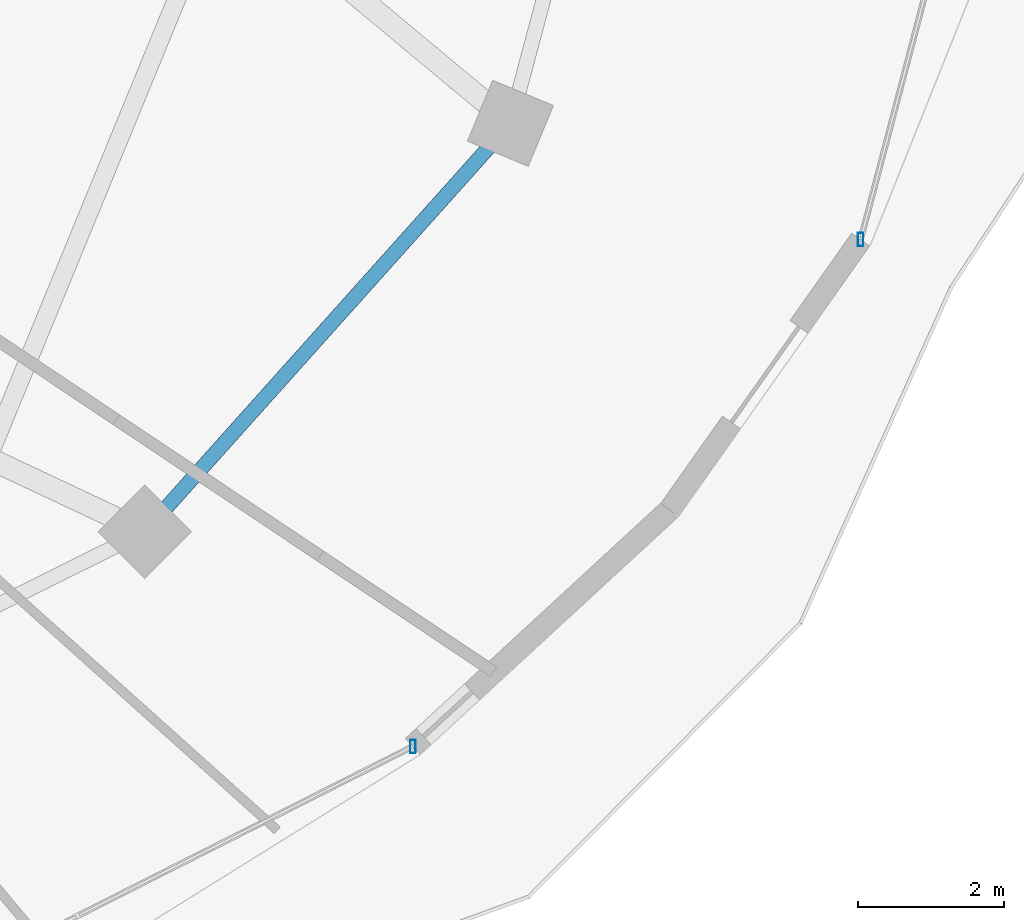
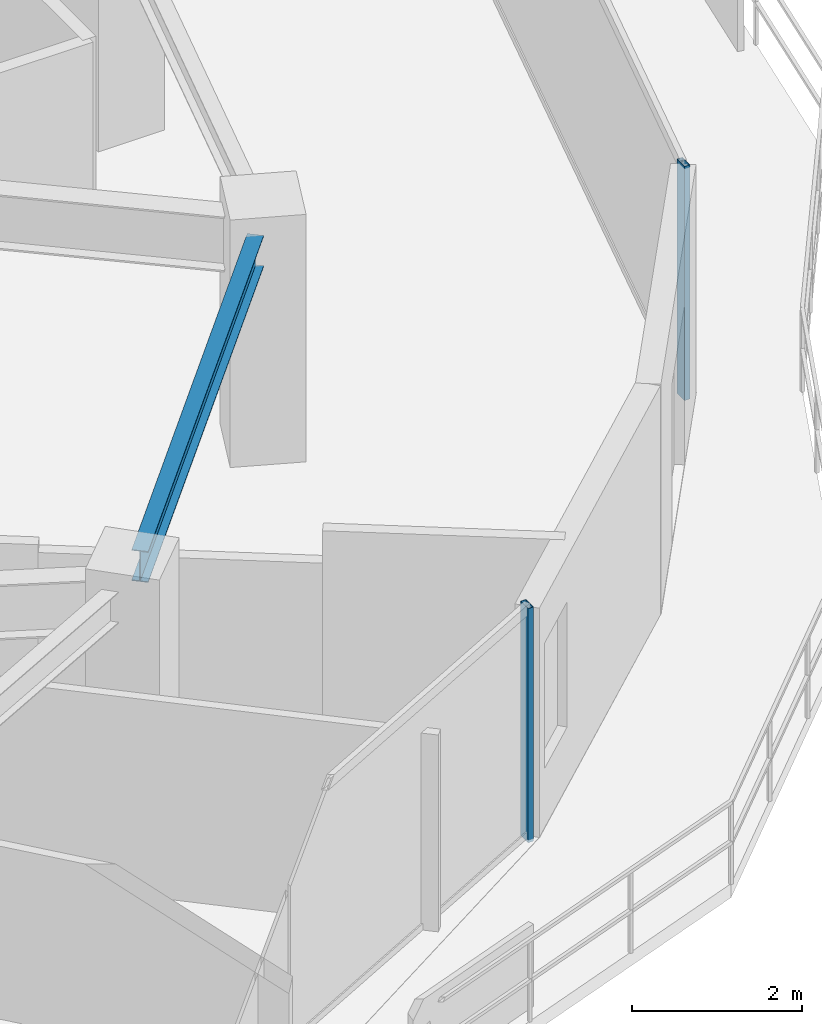
# One storey, part 13 of 34: 2 members, 1 beam, 2 elements without a shape of their own.
"""IFC4 building model written with IfcOpenShell, lengths in metres."""

from ifc_helpers import new_model, si_unit, direction, frame, origin, origin_2d, place, context, subcontext, project, spatial, hollow_rectangle, i_section, extrude, material, material_profile, profile_set, type_object, element, aggregate, save


model = new_model("IFC4")

# Units and contexts
model_context = context("Model", 3, precision=1e-05, world=origin(), true_north=direction((0.0, 1.0)))
body_context = subcontext(model_context, "Body", "Model", "MODEL_VIEW")
ifc_project = project(units=[si_unit("LENGTHUNIT", "METRE"), si_unit("AREAUNIT", "SQUARE_METRE"), si_unit("VOLUMEUNIT", "CUBIC_METRE"), si_unit("PLANEANGLEUNIT", "RADIAN"), si_unit("MASSUNIT", "GRAM", prefix="KILO")], contexts=[model_context])

# Site, building, storey
site_placement = place(None, origin())
site = spatial("IfcSite", under=ifc_project, at=site_placement, CompositionType="ELEMENT")
building_placement = place(site_placement, origin())
building = spatial("IfcBuilding", under=site, at=building_placement, Name="Vorneva Point Tower", CompositionType="ELEMENT")
storey_placement = place(building_placement, frame((0.0, 0.0, 210.75)))
storey = spatial("IfcBuildingStorey", under=building, at=storey_placement, Name="L57", CompositionType="ELEMENT", Elevation=210.75)

# Beam
ifc_material_1 = material(Name="Steel S355", Category="steel")
ifc_material_profile_1 = material_profile(ifc_material_1, i_section(OverallWidth=0.198974609375, OverallDepth=0.446044921875, WebThickness=0.008056640625, FlangeThickness=0.011962890625, at=origin_2d()), Name="45B1")
ifc_profile_set_1 = profile_set([ifc_material_profile_1], Name="Steel S355")
beam_type = type_object("IfcBeamType", Name="BM-SPN-45B1", PredefinedType="SPANDREL", material=ifc_profile_set_1)
beam_placement = place(storey_placement, frame((54.589111328125, 14.161865234375, 3.06689453125), z_axis=(0.66706970547, 0.744995307397, 0.0), x_axis=(-0.744995307397, 0.66706970547, 0.0)))
element("IfcBeam", 1, at=beam_placement, inside=storey, type_object=beam_type, Name="L57 Perimeter Spandrel Ring Beam 15", PredefinedType="SPANDREL", context=body_context, shape_type="SweptSolid", body=[
    extrude(i_section(OverallWidth=0.198974609375, OverallDepth=0.446044921875, WebThickness=0.008056640625, FlangeThickness=0.011962890625, at=origin_2d()), origin(), (0.0, 0.0, 1.0), 6.6201171875),
])

# Curtain wall, member
ifc_material_2 = material(Name="Pale anodised aluminium", Category="aluminium")
curtain_wall_type = type_object("IfcCurtainWallType", Name="CW-RES-SYS", PredefinedType="NOTDEFINED", material=ifc_material_2)
curtain_wall_1_placement = place(storey_placement, origin())
curtain_wall_1 = element("IfcCurtainWall", 2, at=curtain_wall_1_placement, inside=storey, type_object=curtain_wall_type, Name="L57 Unitised Curtain Wall CW-L57-R01", PredefinedType="NOTDEFINED")
ifc_material_profile_2 = material_profile(ifc_material_2, hollow_rectangle(XDim=0.074951171875, YDim=0.179931640625, WallThickness=0.00390625, at=origin_2d()), Name="AL-MUL 180x75x4")
ifc_profile_set_2 = profile_set([ifc_material_profile_2], Name="Pale anodised aluminium")
member_type = type_object("IfcMemberType", Name="CW-MUL-180", PredefinedType="MULLION", material=ifc_profile_set_2)
member_1_placement = place(storey_placement, frame((64.0810546875, 17.82958984375, -0.0400390625), z_axis=(0.0, 0.0, 1.0), x_axis=(1.0, 0.0, 0.0)))
member_1 = element("IfcMember", 3, at=member_1_placement, type_object=member_type, Name="CW-L57-R01 Mullion 01", PredefinedType="MULLION", context=body_context, shape_type="SweptSolid", body=[
    extrude(hollow_rectangle(XDim=0.074951171875, YDim=0.179931640625, WallThickness=0.00390625, at=origin_2d()), origin(), (0.0, 0.0, 1.0), 3.360107421875),
])
aggregate(curtain_wall_1, [member_1])

curtain_wall_2_placement = place(storey_placement, origin())
curtain_wall_2 = element("IfcCurtainWall", 4, at=curtain_wall_2_placement, inside=storey, type_object=curtain_wall_type, Name="L57 Unitised Curtain Wall CW-L57-R04", PredefinedType="NOTDEFINED")
member_2_placement = place(storey_placement, frame((57.961669921875, 10.9033203125, -0.0400390625), z_axis=(0.0, 0.0, 1.0), x_axis=(1.0, 0.0, 0.0)))
member_2 = element("IfcMember", 5, at=member_2_placement, type_object=member_type, Name="CW-L57-R04 Mullion 05", PredefinedType="MULLION", context=body_context, shape_type="SweptSolid", body=[
    extrude(hollow_rectangle(XDim=0.074951171875, YDim=0.179931640625, WallThickness=0.00390625, at=origin_2d()), origin(), (0.0, 0.0, 1.0), 3.360107421875),
])
aggregate(curtain_wall_2, [member_2])

save(model, "model.ifc")
